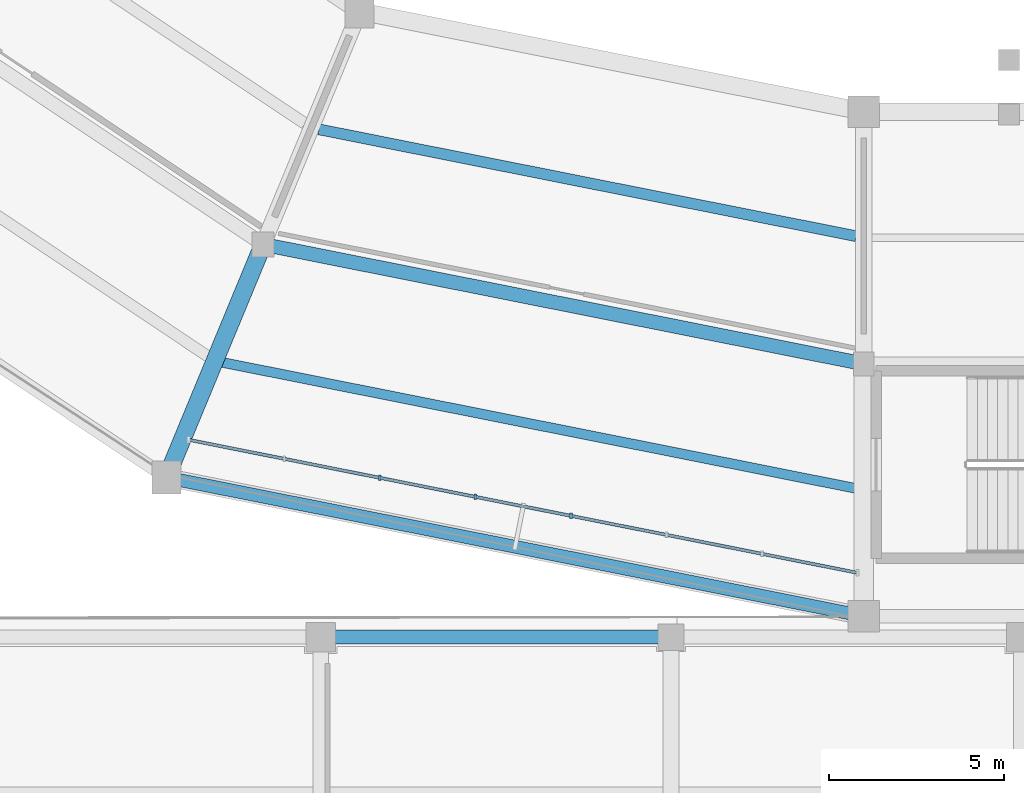
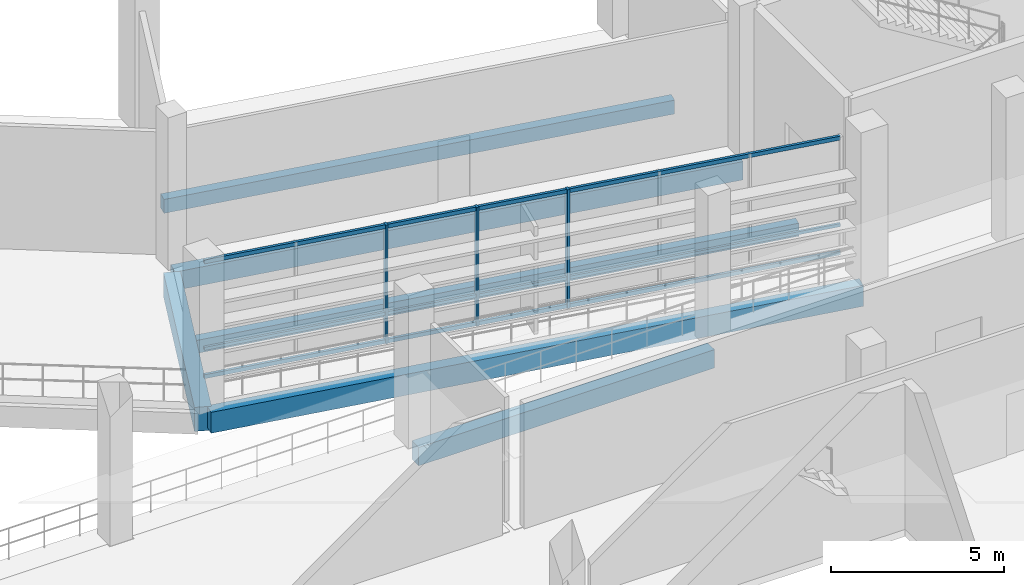
# One storey, part 15 of 114: 6 beams, 6 members, 1 element without a shape of its own.
"""IFC4 building model written with IfcOpenShell, lengths in metres."""

from ifc_helpers import new_model, si_unit, direction, frame, origin, origin_2d, place, context, subcontext, project, spatial, rectangle, extrude, material, material_profile, profile_set, type_object, element, aggregate, save


model = new_model("IFC4")

# Units and contexts
model_context = context("Model", 3, precision=1e-05, world=origin(), true_north=direction((0.0, 1.0)))
body_context = subcontext(model_context, "Body", "Model", "MODEL_VIEW")
ifc_project = project(units=[si_unit("LENGTHUNIT", "METRE"), si_unit("AREAUNIT", "SQUARE_METRE"), si_unit("VOLUMEUNIT", "CUBIC_METRE"), si_unit("PLANEANGLEUNIT", "RADIAN"), si_unit("MASSUNIT", "GRAM", prefix="KILO")], contexts=[model_context])

# Site, building, storey
site_placement = place(None, origin())
site = spatial("IfcSite", under=ifc_project, at=site_placement, CompositionType="ELEMENT")
building_placement = place(site_placement, origin())
building = spatial("IfcBuilding", under=site, at=building_placement, Name="Candeia Ridge Stadium", CompositionType="ELEMENT")
storey_placement = place(building_placement, frame((0.0, 0.0, 5.39990234375)))
storey = spatial("IfcBuildingStorey", under=building, at=storey_placement, Name="L01", CompositionType="ELEMENT", Elevation=5.39990234375)

# Curtain wall, members
ifc_material_1 = material(Name="Aluminium Anodized Warm Bronze", Category="aluminium")
curtain_wall_type = type_object("IfcCurtainWallType", Name="Concourse Recessed Unitised Curtain Wall", PredefinedType="NOTDEFINED", material=ifc_material_1)
curtain_wall_placement = place(storey_placement, origin())
curtain_wall = element("IfcCurtainWall", 1, at=curtain_wall_placement, inside=storey, type_object=curtain_wall_type, Name="Unitised curtain wall CW-BWL-L01-17", PredefinedType="NOTDEFINED")
ifc_material_profile_1 = material_profile(ifc_material_1, rectangle(XDim=0.074951171875, YDim=0.14990234375, at=origin_2d()), Name="CWM-75x150", Category="aluminium")
ifc_profile_set_1 = profile_set([ifc_material_profile_1], Name="Aluminium Anodized Warm Bronze")
member_type_1 = type_object("IfcMemberType", Name="Curtain Wall Secondary Mullion 75x150", PredefinedType="MULLION", material=ifc_profile_set_1)
member_1_placement = place(storey_placement, frame((57.189697265625, 22.947021484375, 0.0), z_axis=(0.0, 0.0, 1.0), x_axis=(1.0, 0.0, 0.0)))
member_1 = element("IfcMember", 2, at=member_1_placement, type_object=member_type_1, Name="Curtain wall mullion CW-BWL-L01-17-M2", PredefinedType="MULLION", context=body_context, shape_type="SweptSolid", body=[
    extrude(rectangle(XDim=0.074951171875, YDim=0.14990234375, at=origin_2d()), origin(), (0.0, 0.0, 1.0), 4.205078125),
])
member_2_placement = place(storey_placement, frame((59.91650390625, 22.404541015625, 0.0), z_axis=(0.0, 0.0, 1.0), x_axis=(1.0, 0.0, 0.0)))
member_2 = element("IfcMember", 3, at=member_2_placement, type_object=member_type_1, Name="Curtain wall mullion CW-BWL-L01-17-M3", PredefinedType="MULLION", context=body_context, shape_type="SweptSolid", body=[
    extrude(rectangle(XDim=0.074951171875, YDim=0.14990234375, at=origin_2d()), origin(), (0.0, 0.0, 1.0), 4.205078125),
])
member_3_placement = place(storey_placement, frame((62.643310546875, 21.8623046875, 0.0), z_axis=(0.0, 0.0, 1.0), x_axis=(1.0, 0.0, 0.0)))
member_3 = element("IfcMember", 4, at=member_3_placement, type_object=member_type_1, Name="Curtain wall mullion CW-BWL-L01-17-M4", PredefinedType="MULLION", context=body_context, shape_type="SweptSolid", body=[
    extrude(rectangle(XDim=0.074951171875, YDim=0.14990234375, at=origin_2d()), origin(), (0.0, 0.0, 1.0), 4.205078125),
])
ifc_material_profile_2 = material_profile(ifc_material_1, rectangle(XDim=0.074951171875, YDim=0.110107421875, at=origin_2d()), Name="CWT-75x110", Category="aluminium")
ifc_profile_set_2 = profile_set([ifc_material_profile_2], Name="Aluminium Anodized Warm Bronze")
member_type_2 = type_object("IfcMemberType", Name="Curtain Wall Secondary Transom 75x110", PredefinedType="USERDEFINED", material=ifc_profile_set_2)
member_4_placement = place(storey_placement, frame((51.736083984375, 24.03173828125, 1.05126953125), z_axis=(0.980786160623, -0.195085896803, 0.0), x_axis=(0.195085896803, 0.980786160623, 0.0)))
member_4 = element("IfcMember", 5, at=member_4_placement, type_object=member_type_2, Name="Curtain wall transom CW-BWL-L01-17-T1", ObjectType="TRANSOM", PredefinedType="USERDEFINED", context=body_context, shape_type="SweptSolid", body=[
    extrude(rectangle(XDim=0.074951171875, YDim=0.110107421875, at=origin_2d()), origin(), (0.0, 0.0, 1.0), 19.46142578125),
])
ifc_material_profile_3 = material_profile(ifc_material_1, rectangle(XDim=0.090087890625, YDim=0.139892578125, at=origin_2d()), Name="CWT-90x140", Category="aluminium")
ifc_profile_set_3 = profile_set([ifc_material_profile_3], Name="Aluminium Anodized Warm Bronze")
member_type_3 = type_object("IfcMemberType", Name="Curtain Wall Transom 90x140", PredefinedType="USERDEFINED", material=ifc_profile_set_3)
member_5_placement = place(storey_placement, frame((51.736083984375, 24.03173828125, 0.070068359375), z_axis=(0.980786160623, -0.195085896803, 0.0), x_axis=(0.195085896803, 0.980786160623, 0.0)))
member_5 = element("IfcMember", 6, at=member_5_placement, type_object=member_type_3, Name="Curtain wall transom CW-BWL-L01-17-T0", ObjectType="TRANSOM", PredefinedType="USERDEFINED", context=body_context, shape_type="SweptSolid", body=[
    extrude(rectangle(XDim=0.090087890625, YDim=0.139892578125, at=origin_2d()), origin(), (0.0, 0.0, 1.0), 19.46142578125),
])
member_6_placement = place(storey_placement, frame((51.736083984375, 24.03173828125, 4.135009765625), z_axis=(0.980786160623, -0.195085896803, 0.0), x_axis=(0.195085896803, 0.980786160623, 0.0)))
member_6 = element("IfcMember", 7, at=member_6_placement, type_object=member_type_3, Name="Curtain wall transom CW-BWL-L01-17-T2", ObjectType="TRANSOM", PredefinedType="USERDEFINED", context=body_context, shape_type="SweptSolid", body=[
    extrude(rectangle(XDim=0.090087890625, YDim=0.139892578125, at=origin_2d()), origin(), (0.0, 0.0, 1.0), 19.46142578125),
])
aggregate(curtain_wall, [member_1, member_2, member_3, member_5, member_4, member_6])

# Beams
ifc_material_2 = material(Name="Concrete C40/50", Category="concrete")
ifc_material_profile_4 = material_profile(ifc_material_2, rectangle(XDim=0.280029296875, YDim=0.4599609375, at=origin_2d()), Name="RC280x460", Category="concrete")
ifc_profile_set_4 = profile_set([ifc_material_profile_4], Name="Concrete C40/50")
beam_type_1 = type_object("IfcBeamType", Name="Floor Joist RC280x460", PredefinedType="JOIST", material=ifc_profile_set_4)
beam_1_placement = place(storey_placement, frame((52.69580078125, 26.240966796875, -0.489990234375), z_axis=(0.980784839623, -0.195092537954, 0.0), x_axis=(0.195092537954, 0.980784839623, 0.0)))
element("IfcBeam", 8, at=beam_1_placement, inside=storey, type_object=beam_type_1, Name="Concourse secondary joist BM-L01-0157", PredefinedType="JOIST", context=body_context, shape_type="SweptSolid", body=[
    extrude(rectangle(XDim=0.280029296875, YDim=0.4599609375, at=origin_2d()), origin(), (0.0, 0.0, 1.0), 18.440673828125),
])
ifc_material_profile_5 = material_profile(ifc_material_2, rectangle(XDim=0.31005859375, YDim=0.489990234375, at=origin_2d()), Name="RC310x490", Category="concrete")
ifc_profile_set_5 = profile_set([ifc_material_profile_5], Name="Concrete C40/50")
beam_type_2 = type_object("IfcBeamType", Name="Floor Joist RC310x490", PredefinedType="JOIST", material=ifc_profile_set_5)
beam_2_placement = place(storey_placement, frame((55.451171875, 32.892822265625, -0.5048828125), z_axis=(0.980784984607, -0.195091809076, 0.0), x_axis=(0.195091809076, 0.980784984607, 0.0)))
element("IfcBeam", 9, at=beam_2_placement, inside=storey, type_object=beam_type_2, Name="Concourse secondary joist BM-L01-0156", PredefinedType="JOIST", context=body_context, shape_type="SweptSolid", body=[
    extrude(rectangle(XDim=0.31005859375, YDim=0.489990234375, at=origin_2d()), origin(), (0.0, 0.0, 1.0), 15.63134765625),
])
ifc_material_3 = material(Name="Concrete C45/55", Category="concrete")
ifc_material_profile_6 = material_profile(ifc_material_3, rectangle(XDim=0.5, YDim=0.85009765625, at=origin_2d()), Name="RC500x850", Category="concrete")
ifc_profile_set_6 = profile_set([ifc_material_profile_6], Name="Concrete C45/55")
beam_type_3 = type_object("IfcBeamType", Name="Frame Girder RC500x850", PredefinedType="BEAM", material=ifc_profile_set_6)
beam_3_placement = place(storey_placement, frame((53.79443359375, 29.46240234375, -0.684814453125), z_axis=(-0.382681914982, -0.923880161031, 0.0), x_axis=(0.923880161031, -0.382681914982, 0.0)))
element("IfcBeam", 10, at=beam_3_placement, inside=storey, type_object=beam_type_3, Name="Bowl radial girder BM-L01-0036", PredefinedType="BEAM", context=body_context, shape_type="SweptSolid", body=[
    extrude(rectangle(XDim=0.5, YDim=0.85009765625, at=origin_2d()), origin(), (0.0, 0.0, 1.0), 6.8798828125),
])
ifc_material_profile_7 = material_profile(ifc_material_3, rectangle(XDim=0.3701171875, YDim=0.739990234375, at=origin_2d()), Name="RC370x740", Category="concrete")
ifc_profile_set_7 = profile_set([ifc_material_profile_7], Name="Concrete C45/55")
beam_type_4 = type_object("IfcBeamType", Name="Spandrel Beam RC370x740", PredefinedType="SPANDREL", material=ifc_profile_set_7)
beam_4_placement = place(storey_placement, frame((51.25732421875, 22.927001953125, -0.6298828125), z_axis=(0.980786091775, -0.195086242929, 0.0), x_axis=(0.195086242929, 0.980786091775, 0.0)))
element("IfcBeam", 11, at=beam_4_placement, inside=storey, type_object=beam_type_4, Name="Bowl perimeter spandrel BM-L01-0155", PredefinedType="SPANDREL", context=body_context, shape_type="SweptSolid", body=[
    extrude(rectangle(XDim=0.3701171875, YDim=0.739990234375, at=origin_2d()), origin(), (0.0, 0.0, 1.0), 19.969482421875),
])
ifc_material_profile_8 = material_profile(ifc_material_2, rectangle(XDim=0.39990234375, YDim=0.64990234375, at=origin_2d()), Name="RC400x650", Category="concrete")
ifc_profile_set_8 = profile_set([ifc_material_profile_8], Name="Concrete C40/50")
beam_type_5 = type_object("IfcBeamType", Name="Wing Primary Girder RC400x650", PredefinedType="BEAM", material=ifc_profile_set_8)
beam_5_placement = place(storey_placement, frame((53.90478515625, 29.600341796875, -0.5849609375), z_axis=(0.980785980309, -0.195086803319, 0.0), x_axis=(0.195086803319, 0.980785980309, 0.0)))
element("IfcBeam", 12, at=beam_5_placement, inside=storey, type_object=beam_type_5, Name="Concourse spine girder BM-L01-0154", PredefinedType="BEAM", context=body_context, shape_type="SweptSolid", body=[
    extrude(rectangle(XDim=0.39990234375, YDim=0.64990234375, at=origin_2d()), origin(), (0.0, 0.0, 1.0), 17.380126953125),
])
beam_6_placement = place(storey_placement, frame((55.550048828125, 18.39990234375, -0.5849609375), z_axis=(1.0, 0.0, 0.0), x_axis=(0.0, 1.0, 0.0)))
element("IfcBeam", 13, at=beam_6_placement, inside=storey, type_object=beam_type_5, Name="Structural girder BM-L01-1968", PredefinedType="BEAM", context=body_context, shape_type="SweptSolid", body=[
    extrude(rectangle(XDim=0.39990234375, YDim=0.64990234375, at=origin_2d()), origin(), (0.0, 0.0, 1.0), 9.89990234375),
])

save(model, "model.ifc")
